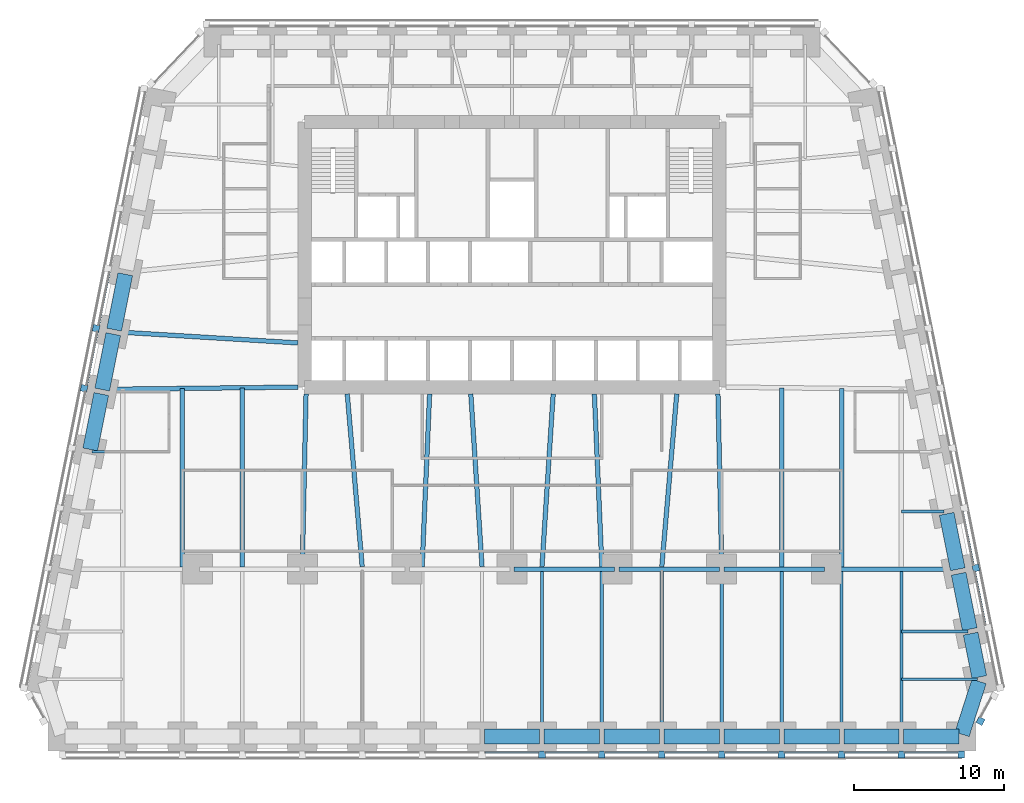
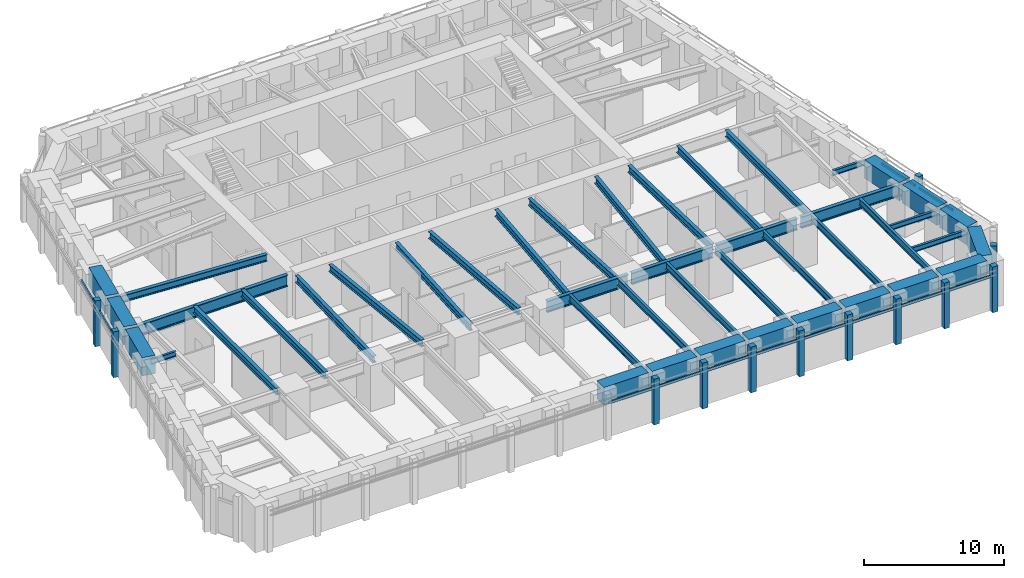
# One storey, part 2 of 10: 44 beams, 24 members, 4 elements without a shape of their own.
"""IFC4 building model written with IfcOpenShell, lengths in metres."""

from ifc_helpers import new_model, si_unit, direction, frame, origin, origin_2d, place, context, subcontext, project, spatial, rectangle, i_section, extrude, material, material_profile, profile_set, type_object, element, aggregate, save


model = new_model("IFC4")

# Units and contexts
model_context = context("Model", 3, precision=1e-05, world=origin(), true_north=direction((0.0, 1.0)))
body_context = subcontext(model_context, "Body", "Model", "MODEL_VIEW")
ifc_project = project(units=[si_unit("LENGTHUNIT", "METRE"), si_unit("AREAUNIT", "SQUARE_METRE"), si_unit("VOLUMEUNIT", "CUBIC_METRE"), si_unit("PLANEANGLEUNIT", "RADIAN"), si_unit("MASSUNIT", "GRAM", prefix="KILO")], contexts=[model_context])

# Site, building, storey
site_placement = place(None, origin())
site = spatial("IfcSite", under=ifc_project, at=site_placement, CompositionType="ELEMENT")
building_placement = place(site_placement, origin())
building = spatial("IfcBuilding", under=site, at=building_placement, Name="Isbrekke Arena Tower", CompositionType="ELEMENT")
storey_placement = place(building_placement, frame((0.0, 0.0, 76.0)))
storey = spatial("IfcBuildingStorey", under=building, at=storey_placement, Name="L16", CompositionType="ELEMENT", Elevation=76.0)

# Beams
ifc_material_1 = material(Name="Steel S355", Category="steel")
ifc_material_profile_1 = material_profile(ifc_material_1, i_section(OverallWidth=0.219970703125, OverallDepth=0.60009765625, WebThickness=0.011962890625, FlangeThickness=0.01904296875, FilletRadius=0.02392578125, at=origin_2d()), Name="IPE 600")
ifc_profile_set_1 = profile_set([ifc_material_profile_1], Name="Steel S355")
beam_type_1 = type_object("IfcBeamType", Name="B1 IPE 600", PredefinedType="BEAM", material=ifc_profile_set_1)
for number, where, z_axis, x_axis, name in (
    (1, (2.0, -17.02490234375, 3.550048828125), (0.0, 1.0, 0.0), (-1.0, 0.0, 0.0), "B1 beam S-S09 L16"),
    (2, (6.0, -17.02490234375, 3.550048828125), (0.0, 1.0, 0.0), (-1.0, 0.0, 0.0), "B1 beam S-S10 L16"),
    (3, (10.0, -17.02490234375, 3.550048828125), (0.0, 1.0, 0.0), (-1.0, 0.0, 0.0), "B1 beam S-S11 L16"),
):
    element("IfcBeam", number, at=place(storey_placement, frame(where, z_axis=z_axis, x_axis=x_axis)), inside=storey, type_object=beam_type_1, Name=name, PredefinedType="BEAM", context=body_context, shape_type="SweptSolid", body=[
        extrude(i_section(OverallWidth=0.219970703125, OverallDepth=0.60009765625, WebThickness=0.011962890625, FlangeThickness=0.01904296875, FilletRadius=0.02392578125, at=origin_2d()), origin(), (0.0, 0.0, 1.0), 10.8740234375),
    ])
beam_1_placement = place(storey_placement, frame((14.0, -17.02490234375, 3.550048828125), z_axis=(0.0, 1.0, 0.0), x_axis=(-1.0, 0.0, 0.0)))
element("IfcBeam", 4, at=beam_1_placement, inside=storey, type_object=beam_type_1, Name="B1 beam S-S12 L16", PredefinedType="BEAM", context=body_context, shape_type="SweptSolid", body=[
    extrude(i_section(OverallWidth=0.219970703125, OverallDepth=0.60009765625, WebThickness=0.011962890625, FlangeThickness=0.01904296875, FilletRadius=0.02392578125, at=origin_2d()), origin(), (0.0, 0.0, 1.0), 10.875),
])
for number, where, z_axis, x_axis, name in (
    (5, (18.0, -17.02490234375, 3.550048828125), (0.0, 1.0, 0.0), (-1.0, 0.0, 0.0), "B1 beam S-S13 L16"),
    (6, (22.0, -17.02490234375, 3.550048828125), (0.0, 1.0, 0.0), (-1.0, 0.0, 0.0), "B1 beam S-S14 L16"),
    (7, (26.0, -17.02490234375, 3.550048828125), (0.0, 1.0, 0.0), (-1.0, 0.0, 0.0), "B1 beam S-S15 L16"),
):
    element("IfcBeam", number, at=place(storey_placement, frame(where, z_axis=z_axis, x_axis=x_axis)), inside=storey, type_object=beam_type_1, Name=name, PredefinedType="BEAM", context=body_context, shape_type="SweptSolid", body=[
        extrude(i_section(OverallWidth=0.219970703125, OverallDepth=0.60009765625, WebThickness=0.011962890625, FlangeThickness=0.01904296875, FilletRadius=0.02392578125, at=origin_2d()), origin(), (0.0, 0.0, 1.0), 10.8740234375),
    ])
ifc_material_2 = material(Name="Steel S355", Category="steel")
ifc_material_profile_2 = material_profile(ifc_material_2, i_section(OverallWidth=0.18994140625, OverallDepth=0.449951171875, WebThickness=0.009521484375, FlangeThickness=0.0146484375, FilletRadius=0.02099609375, at=origin_2d()), Name="IPE 450")
ifc_profile_set_2 = profile_set([ifc_material_profile_2], Name="Steel S355")
beam_type_2 = type_object("IfcBeamType", Name="B2 IPE 450", PredefinedType="BEAM", material=ifc_profile_set_2)
beam_2_placement = place(storey_placement, frame((31.079345703125, -13.352783203125, 3.625), z_axis=(-1.0, 0.0, 0.0), x_axis=(0.0, -1.0, 0.0)))
element("IfcBeam", 8, at=beam_2_placement, inside=storey, type_object=beam_type_2, Name="B2 beam E-E01 L16", PredefinedType="BEAM", context=body_context, shape_type="SweptSolid", body=[
    extrude(i_section(OverallWidth=0.18994140625, OverallDepth=0.449951171875, WebThickness=0.009521484375, FlangeThickness=0.0146484375, FilletRadius=0.02099609375, at=origin_2d()), origin(), (0.0, 0.0, 1.0), 5.079345703125),
])
beam_3_placement = place(storey_placement, frame((30.44091796875, -10.161865234375, 3.625), z_axis=(-1.0, 0.0, 0.0), x_axis=(0.0, -1.0, 0.0)))
element("IfcBeam", 9, at=beam_3_placement, inside=storey, type_object=beam_type_2, Name="B2 beam E-E02 L16", PredefinedType="BEAM", context=body_context, shape_type="SweptSolid", body=[
    extrude(i_section(OverallWidth=0.18994140625, OverallDepth=0.449951171875, WebThickness=0.009521484375, FlangeThickness=0.0146484375, FilletRadius=0.02099609375, at=origin_2d()), origin(), (0.0, 0.0, 1.0), 4.44091796875),
])
beam_4_placement = place(storey_placement, frame((28.841064453125, -2.161865234375, 3.625), z_axis=(-1.0, 0.0, 0.0), x_axis=(0.0, -1.0, 0.0)))
element("IfcBeam", 10, at=beam_4_placement, inside=storey, type_object=beam_type_2, Name="B2 beam E-E04 L16", PredefinedType="BEAM", context=body_context, shape_type="SweptSolid", body=[
    extrude(i_section(OverallWidth=0.18994140625, OverallDepth=0.449951171875, WebThickness=0.009521484375, FlangeThickness=0.0146484375, FilletRadius=0.02099609375, at=origin_2d()), origin(), (0.0, 0.0, 1.0), 2.841064453125),
])
beam_5_placement = place(storey_placement, frame((-28.041015625, 1.838134765625, 3.625), z_axis=(1.0, 0.0, 0.0), x_axis=(0.0, 1.0, 0.0)))
element("IfcBeam", 11, at=beam_5_placement, inside=storey, type_object=beam_type_2, Name="B2 beam E-W07 L16", PredefinedType="BEAM", context=body_context, shape_type="SweptSolid", body=[
    extrude(i_section(OverallWidth=0.18994140625, OverallDepth=0.449951171875, WebThickness=0.009521484375, FlangeThickness=0.0146484375, FilletRadius=0.02099609375, at=origin_2d()), origin(), (0.0, 0.0, 1.0), 2.041015625),
])
ifc_material_3 = material(Name="Steel S355", Category="steel")
ifc_material_profile_3 = material_profile(ifc_material_3, i_section(OverallWidth=0.300048828125, OverallDepth=0.60009765625, WebThickness=0.015380859375, FlangeThickness=0.030029296875, FilletRadius=0.027099609375, at=origin_2d()), Name="HEB 600")
ifc_profile_set_3 = profile_set([ifc_material_profile_3], Name="Steel S355")
beam_type_3 = type_object("IfcBeamType", Name="B7 HEB 600", PredefinedType="BEAM", material=ifc_profile_set_3)
beam_6_placement = place(storey_placement, frame((-22.0, -5.84912109375, 3.550048828125), z_axis=(0.0, 1.0, 0.0), x_axis=(-1.0, 0.0, 0.0)))
element("IfcBeam", 12, at=beam_6_placement, inside=storey, type_object=beam_type_3, Name="B7 beam C-M02 L16", PredefinedType="BEAM", context=body_context, shape_type="SweptSolid", body=[
    extrude(i_section(OverallWidth=0.300048828125, OverallDepth=0.60009765625, WebThickness=0.015380859375, FlangeThickness=0.030029296875, FilletRadius=0.027099609375, at=origin_2d()), origin(), (0.0, 0.0, 1.0), 11.910888671875),
])
beam_7_placement = place(storey_placement, frame((-18.0, -5.84912109375, 3.550048828125), z_axis=(0.0, 1.0, 0.0), x_axis=(-1.0, 0.0, 0.0)))
element("IfcBeam", 13, at=beam_7_placement, inside=storey, type_object=beam_type_3, Name="B7 beam C-M03 L16", PredefinedType="BEAM", context=body_context, shape_type="SweptSolid", body=[
    extrude(i_section(OverallWidth=0.300048828125, OverallDepth=0.60009765625, WebThickness=0.015380859375, FlangeThickness=0.030029296875, FilletRadius=0.027099609375, at=origin_2d()), origin(), (0.0, 0.0, 1.0), 11.956787109375),
])
beam_8_placement = place(storey_placement, frame((-14.0, -5.8466796875, 3.550048828125), z_axis=(0.021646264273, 0.999765692171, 0.0), x_axis=(-0.999765692171, 0.021646264273, 0.0)))
element("IfcBeam", 14, at=beam_8_placement, inside=storey, type_object=beam_type_3, Name="B7 beam C-M04 L16", PredefinedType="BEAM", context=body_context, shape_type="SweptSolid", body=[
    extrude(i_section(OverallWidth=0.300048828125, OverallDepth=0.60009765625, WebThickness=0.015380859375, FlangeThickness=0.030029296875, FilletRadius=0.027099609375, at=origin_2d()), origin(), (0.0, 0.0, 1.0), 11.54931640625),
])
beam_9_placement = place(storey_placement, frame((-10.001220703125, -5.836181640625, 3.550048828125), z_axis=(-0.086255671377, 0.996273034442, 0.0), x_axis=(-0.996273034442, -0.086255671377, 0.0)))
element("IfcBeam", 15, at=beam_9_placement, inside=storey, type_object=beam_type_3, Name="B7 beam C-M05 L16", PredefinedType="BEAM", context=body_context, shape_type="SweptSolid", body=[
    extrude(i_section(OverallWidth=0.300048828125, OverallDepth=0.60009765625, WebThickness=0.015380859375, FlangeThickness=0.030029296875, FilletRadius=0.027099609375, at=origin_2d()), origin(), (0.0, 0.0, 1.0), 11.579345703125),
])
beam_10_placement = place(storey_placement, frame((-5.999755859375, -5.842529296875, 3.550048828125), z_axis=(0.04325656756, 0.99906399663, 0.0), x_axis=(-0.99906399663, 0.04325656756, 0.0)))
element("IfcBeam", 16, at=beam_10_placement, inside=storey, type_object=beam_type_3, Name="B7 beam C-M06 L16", PredefinedType="BEAM", context=body_context, shape_type="SweptSolid", body=[
    extrude(i_section(OverallWidth=0.300048828125, OverallDepth=0.60009765625, WebThickness=0.015380859375, FlangeThickness=0.030029296875, FilletRadius=0.027099609375, at=origin_2d()), origin(), (0.0, 0.0, 1.0), 11.55322265625),
])
for number, where, z_axis, x_axis, name in (
    (17, (-2.000732421875, -5.83935546875, 3.550048828125), (-0.064795318476, 0.997898575359, 0.0), (-0.997898575359, -0.064795318476, 0.0), "B7 beam C-M07 L16"),
    (18, (2.000732421875, -5.83935546875, 3.550048828125), (0.064795318476, 0.997898575359, 0.0), (-0.997898575359, 0.064795318476, 0.0), "B7 beam C-M08 L16"),
):
    element("IfcBeam", number, at=place(storey_placement, frame(where, z_axis=z_axis, x_axis=x_axis)), inside=storey, type_object=beam_type_3, Name=name, PredefinedType="BEAM", context=body_context, shape_type="SweptSolid", body=[
        extrude(i_section(OverallWidth=0.300048828125, OverallDepth=0.60009765625, WebThickness=0.015380859375, FlangeThickness=0.030029296875, FilletRadius=0.027099609375, at=origin_2d()), origin(), (0.0, 0.0, 1.0), 11.563720703125),
    ])
beam_11_placement = place(storey_placement, frame((5.999755859375, -5.842529296875, 3.550048828125), z_axis=(-0.04325656756, 0.99906399663, 0.0), x_axis=(-0.99906399663, -0.04325656756, 0.0)))
element("IfcBeam", 19, at=beam_11_placement, inside=storey, type_object=beam_type_3, Name="B7 beam C-M09 L16", PredefinedType="BEAM", context=body_context, shape_type="SweptSolid", body=[
    extrude(i_section(OverallWidth=0.300048828125, OverallDepth=0.60009765625, WebThickness=0.015380859375, FlangeThickness=0.030029296875, FilletRadius=0.027099609375, at=origin_2d()), origin(), (0.0, 0.0, 1.0), 11.55322265625),
])
beam_12_placement = place(storey_placement, frame((10.001220703125, -5.836181640625, 3.550048828125), z_axis=(0.086255671377, 0.996273034442, 0.0), x_axis=(-0.996273034442, 0.086255671377, 0.0)))
element("IfcBeam", 20, at=beam_12_placement, inside=storey, type_object=beam_type_3, Name="B7 beam C-M10 L16", PredefinedType="BEAM", context=body_context, shape_type="SweptSolid", body=[
    extrude(i_section(OverallWidth=0.300048828125, OverallDepth=0.60009765625, WebThickness=0.015380859375, FlangeThickness=0.030029296875, FilletRadius=0.027099609375, at=origin_2d()), origin(), (0.0, 0.0, 1.0), 11.579345703125),
])
beam_13_placement = place(storey_placement, frame((14.0, -5.8466796875, 3.550048828125), z_axis=(-0.021646264273, 0.999765692171, 0.0), x_axis=(-0.999765692171, -0.021646264273, 0.0)))
element("IfcBeam", 21, at=beam_13_placement, inside=storey, type_object=beam_type_3, Name="B7 beam C-M11 L16", PredefinedType="BEAM", context=body_context, shape_type="SweptSolid", body=[
    extrude(i_section(OverallWidth=0.300048828125, OverallDepth=0.60009765625, WebThickness=0.015380859375, FlangeThickness=0.030029296875, FilletRadius=0.027099609375, at=origin_2d()), origin(), (0.0, 0.0, 1.0), 11.54931640625),
])
beam_14_placement = place(storey_placement, frame((18.0, -5.84912109375, 3.550048828125), z_axis=(0.0, 1.0, 0.0), x_axis=(-1.0, 0.0, 0.0)))
element("IfcBeam", 22, at=beam_14_placement, inside=storey, type_object=beam_type_3, Name="B7 beam C-M12 L16", PredefinedType="BEAM", context=body_context, shape_type="SweptSolid", body=[
    extrude(i_section(OverallWidth=0.300048828125, OverallDepth=0.60009765625, WebThickness=0.015380859375, FlangeThickness=0.030029296875, FilletRadius=0.027099609375, at=origin_2d()), origin(), (0.0, 0.0, 1.0), 11.956787109375),
])
beam_15_placement = place(storey_placement, frame((22.0, -5.84912109375, 3.550048828125), z_axis=(0.0, 1.0, 0.0), x_axis=(-1.0, 0.0, 0.0)))
element("IfcBeam", 23, at=beam_15_placement, inside=storey, type_object=beam_type_3, Name="B7 beam C-M13 L16", PredefinedType="BEAM", context=body_context, shape_type="SweptSolid", body=[
    extrude(i_section(OverallWidth=0.300048828125, OverallDepth=0.60009765625, WebThickness=0.015380859375, FlangeThickness=0.030029296875, FilletRadius=0.027099609375, at=origin_2d()), origin(), (0.0, 0.0, 1.0), 11.910888671875),
])
beam_16_placement = place(storey_placement, frame((-26.431884765625, 9.837646484375, 3.550048828125), z_axis=(0.998157121592, -0.060682457223, 0.0), x_axis=(0.060682457223, 0.998157121592, 0.0)))
element("IfcBeam", 24, at=beam_16_placement, inside=storey, type_object=beam_type_3, Name="B7 beam E-W05 L16", PredefinedType="BEAM", context=body_context, shape_type="SweptSolid", body=[
    extrude(i_section(OverallWidth=0.300048828125, OverallDepth=0.60009765625, WebThickness=0.015380859375, FlangeThickness=0.030029296875, FilletRadius=0.027099609375, at=origin_2d()), origin(), (0.0, 0.0, 1.0), 12.154296875),
])

# Curtain wall, members
ifc_material_4 = material(Name="Glazed aluminium curtain wall", Category="aluminium")
curtain_wall_type = type_object("IfcCurtainWallType", Name="CWL TOWER CURTAIN WALL LOW ZONE", PredefinedType="USERDEFINED", material=ifc_material_4)
curtain_wall_1_placement = place(storey_placement, origin())
curtain_wall_1 = element("IfcCurtainWall", 25, at=curtain_wall_1_placement, inside=storey, type_object=curtain_wall_type, Name="CWL curtain wall L16-S", ObjectType="TOWER CURTAIN WALL LOW ZONE", PredefinedType="USERDEFINED")
ifc_material_5 = material(Name="Aluminium mullion, pale brick slip cladding", Category="masonry")
ifc_material_profile_4 = material_profile(ifc_material_5, rectangle(XDim=0.449951171875, YDim=0.449951171875, at=origin_2d()), Name="PIER 450X450")
ifc_profile_set_4 = profile_set([ifc_material_profile_4], Name="Aluminium mullion, pale brick slip cladding")
member_type_1 = type_object("IfcMemberType", Name="CWL-M PIER MULLION 450 x 450", PredefinedType="MULLION", material=ifc_profile_set_4)
member_1_placement = place(storey_placement, frame((2.0, -18.375, 0.0), z_axis=(0.0, 0.0, 1.0), x_axis=(1.0, 0.0, 0.0)))
member_1 = element("IfcMember", 26, at=member_1_placement, type_object=member_type_1, Name="CWL-M mullion 9", PredefinedType="MULLION", context=body_context, shape_type="SweptSolid", body=[
    extrude(rectangle(XDim=0.449951171875, YDim=0.449951171875, at=origin_2d()), origin(), (0.0, 0.0, 1.0), 4.0),
])
member_2_placement = place(storey_placement, frame((6.0, -18.375, 0.0), z_axis=(0.0, 0.0, 1.0), x_axis=(1.0, 0.0, 0.0)))
member_2 = element("IfcMember", 27, at=member_2_placement, type_object=member_type_1, Name="CWL-M mullion 10", PredefinedType="MULLION", context=body_context, shape_type="SweptSolid", body=[
    extrude(rectangle(XDim=0.449951171875, YDim=0.449951171875, at=origin_2d()), origin(), (0.0, 0.0, 1.0), 4.0),
])
member_3_placement = place(storey_placement, frame((10.0, -18.375, 0.0), z_axis=(0.0, 0.0, 1.0), x_axis=(1.0, 0.0, 0.0)))
member_3 = element("IfcMember", 28, at=member_3_placement, type_object=member_type_1, Name="CWL-M mullion 11", PredefinedType="MULLION", context=body_context, shape_type="SweptSolid", body=[
    extrude(rectangle(XDim=0.449951171875, YDim=0.449951171875, at=origin_2d()), origin(), (0.0, 0.0, 1.0), 4.0),
])
member_4_placement = place(storey_placement, frame((14.0, -18.375, 0.0), z_axis=(0.0, 0.0, 1.0), x_axis=(1.0, 0.0, 0.0)))
member_4 = element("IfcMember", 29, at=member_4_placement, type_object=member_type_1, Name="CWL-M mullion 12", PredefinedType="MULLION", context=body_context, shape_type="SweptSolid", body=[
    extrude(rectangle(XDim=0.449951171875, YDim=0.449951171875, at=origin_2d()), origin(), (0.0, 0.0, 1.0), 4.0),
])
member_5_placement = place(storey_placement, frame((18.0, -18.375, 0.0), z_axis=(0.0, 0.0, 1.0), x_axis=(1.0, 0.0, 0.0)))
member_5 = element("IfcMember", 30, at=member_5_placement, type_object=member_type_1, Name="CWL-M mullion 13", PredefinedType="MULLION", context=body_context, shape_type="SweptSolid", body=[
    extrude(rectangle(XDim=0.449951171875, YDim=0.449951171875, at=origin_2d()), origin(), (0.0, 0.0, 1.0), 4.0),
])
member_6_placement = place(storey_placement, frame((22.0, -18.375, 0.0), z_axis=(0.0, 0.0, 1.0), x_axis=(1.0, 0.0, 0.0)))
member_6 = element("IfcMember", 31, at=member_6_placement, type_object=member_type_1, Name="CWL-M mullion 14", PredefinedType="MULLION", context=body_context, shape_type="SweptSolid", body=[
    extrude(rectangle(XDim=0.449951171875, YDim=0.449951171875, at=origin_2d()), origin(), (0.0, 0.0, 1.0), 4.0),
])
member_7_placement = place(storey_placement, frame((26.0, -18.375, 0.0), z_axis=(0.0, 0.0, 1.0), x_axis=(1.0, 0.0, 0.0)))
member_7 = element("IfcMember", 32, at=member_7_placement, type_object=member_type_1, Name="CWL-M mullion 15", PredefinedType="MULLION", context=body_context, shape_type="SweptSolid", body=[
    extrude(rectangle(XDim=0.449951171875, YDim=0.449951171875, at=origin_2d()), origin(), (0.0, 0.0, 1.0), 4.0),
])
member_8_placement = place(storey_placement, frame((30.0, -18.375, 0.0), z_axis=(0.0, 0.0, 1.0), x_axis=(1.0, 0.0, 0.0)))
member_8 = element("IfcMember", 33, at=member_8_placement, type_object=member_type_1, Name="CWL-M mullion 16", PredefinedType="MULLION", context=body_context, shape_type="SweptSolid", body=[
    extrude(rectangle(XDim=0.449951171875, YDim=0.449951171875, at=origin_2d()), origin(), (0.0, 0.0, 1.0), 4.0),
])

# Curtain wall, member
curtain_wall_2_placement = place(storey_placement, origin())
curtain_wall_2 = element("IfcCurtainWall", 34, at=curtain_wall_2_placement, inside=storey, type_object=curtain_wall_type, Name="CWL curtain wall L16-SE", ObjectType="TOWER CURTAIN WALL LOW ZONE", PredefinedType="USERDEFINED")
member_9_placement = place(storey_placement, frame((31.2783203125, -16.142822265625, 0.0), z_axis=(0.0, 0.0, 1.0), x_axis=(0.481918749773, 0.876215908676, 0.0)))
member_9 = element("IfcMember", 35, at=member_9_placement, type_object=member_type_1, Name="CWL-M mullion 1", PredefinedType="MULLION", context=body_context, shape_type="SweptSolid", body=[
    extrude(rectangle(XDim=0.449951171875, YDim=0.449951171875, at=origin_2d()), origin(), (0.0, 0.0, 1.0), 4.0),
])
aggregate(curtain_wall_2, [member_9])

curtain_wall_3_placement = place(storey_placement, origin())
curtain_wall_3 = element("IfcCurtainWall", 36, at=curtain_wall_3_placement, inside=storey, type_object=curtain_wall_type, Name="CWL curtain wall L16-E", ObjectType="TOWER CURTAIN WALL LOW ZONE", PredefinedType="USERDEFINED")
member_10_placement = place(storey_placement, frame((30.9677734375, -5.926513671875, 0.0), z_axis=(0.0, 0.0, 1.0), x_axis=(-0.196116135138, 0.980580675691, 0.0)))
member_10 = element("IfcMember", 37, at=member_10_placement, type_object=member_type_1, Name="CWL-M mullion 3", PredefinedType="MULLION", context=body_context, shape_type="SweptSolid", body=[
    extrude(rectangle(XDim=0.449951171875, YDim=0.449951171875, at=origin_2d()), origin(), (0.0, 0.0, 1.0), 4.0),
])

# Curtain wall, members
curtain_wall_4_placement = place(storey_placement, origin())
curtain_wall_4 = element("IfcCurtainWall", 38, at=curtain_wall_4_placement, inside=storey, type_object=curtain_wall_type, Name="CWL curtain wall L16-W", ObjectType="TOWER CURTAIN WALL LOW ZONE", PredefinedType="USERDEFINED")
member_11_placement = place(storey_placement, frame((-27.767822265625, 10.073486328125, 0.0), z_axis=(0.0, 0.0, 1.0), x_axis=(-0.196116135138, -0.980580675691, 0.0)))
member_11 = element("IfcMember", 39, at=member_11_placement, type_object=member_type_1, Name="CWL-M mullion 5", PredefinedType="MULLION", context=body_context, shape_type="SweptSolid", body=[
    extrude(rectangle(XDim=0.449951171875, YDim=0.449951171875, at=origin_2d()), origin(), (0.0, 0.0, 1.0), 4.0),
])
member_12_placement = place(storey_placement, frame((-28.567626953125, 6.073486328125, 0.0), z_axis=(0.0, 0.0, 1.0), x_axis=(-0.196116135138, -0.980580675691, 0.0)))
member_12 = element("IfcMember", 40, at=member_12_placement, type_object=member_type_1, Name="CWL-M mullion 6", PredefinedType="MULLION", context=body_context, shape_type="SweptSolid", body=[
    extrude(rectangle(XDim=0.449951171875, YDim=0.449951171875, at=origin_2d()), origin(), (0.0, 0.0, 1.0), 4.0),
])

# Member
ifc_material_6 = material(Name="Aluminium transom", Category="aluminium")
ifc_material_profile_5 = material_profile(ifc_material_6, rectangle(XDim=0.1201171875, YDim=0.199951171875, at=origin_2d()), Name="TRANSOM 120X200")
ifc_profile_set_5 = profile_set([ifc_material_profile_5], Name="Aluminium transom")
member_type_2 = type_object("IfcMemberType", Name="CWL-T TRANSOM 120 x 200", PredefinedType="USERDEFINED", material=ifc_profile_set_5)
member_13_placement = place(storey_placement, frame((-1.77490234375, -18.25, 3.0), z_axis=(1.0, 0.0, 0.0), x_axis=(0.0, 1.0, 0.0)))
member_13 = element("IfcMember", 41, at=member_13_placement, type_object=member_type_2, Name="CWL-T transom 8", ObjectType="TRANSOM", PredefinedType="USERDEFINED", context=body_context, shape_type="SweptSolid", body=[
    extrude(rectangle(XDim=0.1201171875, YDim=0.199951171875, at=origin_2d()), origin(), (0.0, 0.0, 1.0), 3.5498046875),
])

member_14_placement = place(storey_placement, frame((2.22509765625, -18.25, 3.0), z_axis=(1.0, 0.0, 0.0), x_axis=(0.0, 1.0, 0.0)))
member_14 = element("IfcMember", 42, at=member_14_placement, type_object=member_type_2, Name="CWL-T transom 9", ObjectType="TRANSOM", PredefinedType="USERDEFINED", context=body_context, shape_type="SweptSolid", body=[
    extrude(rectangle(XDim=0.1201171875, YDim=0.199951171875, at=origin_2d()), origin(), (0.0, 0.0, 1.0), 3.5498046875),
])

member_15_placement = place(storey_placement, frame((6.22509765625, -18.25, 3.0), z_axis=(1.0, 0.0, 0.0), x_axis=(0.0, 1.0, 0.0)))
member_15 = element("IfcMember", 43, at=member_15_placement, type_object=member_type_2, Name="CWL-T transom 10", ObjectType="TRANSOM", PredefinedType="USERDEFINED", context=body_context, shape_type="SweptSolid", body=[
    extrude(rectangle(XDim=0.1201171875, YDim=0.199951171875, at=origin_2d()), origin(), (0.0, 0.0, 1.0), 3.5498046875),
])

member_16_placement = place(storey_placement, frame((10.22509765625, -18.25, 3.0), z_axis=(1.0, 0.0, 0.0), x_axis=(0.0, 1.0, 0.0)))
member_16 = element("IfcMember", 44, at=member_16_placement, type_object=member_type_2, Name="CWL-T transom 11", ObjectType="TRANSOM", PredefinedType="USERDEFINED", context=body_context, shape_type="SweptSolid", body=[
    extrude(rectangle(XDim=0.1201171875, YDim=0.199951171875, at=origin_2d()), origin(), (0.0, 0.0, 1.0), 3.5498046875),
])

member_17_placement = place(storey_placement, frame((14.22509765625, -18.25, 3.0), z_axis=(1.0, 0.0, 0.0), x_axis=(0.0, 1.0, 0.0)))
member_17 = element("IfcMember", 45, at=member_17_placement, type_object=member_type_2, Name="CWL-T transom 12", ObjectType="TRANSOM", PredefinedType="USERDEFINED", context=body_context, shape_type="SweptSolid", body=[
    extrude(rectangle(XDim=0.1201171875, YDim=0.199951171875, at=origin_2d()), origin(), (0.0, 0.0, 1.0), 3.5498046875),
])

member_18_placement = place(storey_placement, frame((18.22509765625, -18.25, 3.0), z_axis=(1.0, 0.0, 0.0), x_axis=(0.0, 1.0, 0.0)))
member_18 = element("IfcMember", 46, at=member_18_placement, type_object=member_type_2, Name="CWL-T transom 13", ObjectType="TRANSOM", PredefinedType="USERDEFINED", context=body_context, shape_type="SweptSolid", body=[
    extrude(rectangle(XDim=0.1201171875, YDim=0.199951171875, at=origin_2d()), origin(), (0.0, 0.0, 1.0), 3.5498046875),
])

member_19_placement = place(storey_placement, frame((22.22509765625, -18.25, 3.0), z_axis=(1.0, 0.0, 0.0), x_axis=(0.0, 1.0, 0.0)))
member_19 = element("IfcMember", 47, at=member_19_placement, type_object=member_type_2, Name="CWL-T transom 14", ObjectType="TRANSOM", PredefinedType="USERDEFINED", context=body_context, shape_type="SweptSolid", body=[
    extrude(rectangle(XDim=0.1201171875, YDim=0.199951171875, at=origin_2d()), origin(), (0.0, 0.0, 1.0), 3.5498046875),
])

member_20_placement = place(storey_placement, frame((26.22509765625, -18.25, 3.0), z_axis=(1.0, 0.0, 0.0), x_axis=(0.0, 1.0, 0.0)))
member_20 = element("IfcMember", 48, at=member_20_placement, type_object=member_type_2, Name="CWL-T transom 15", ObjectType="TRANSOM", PredefinedType="USERDEFINED", context=body_context, shape_type="SweptSolid", body=[
    extrude(rectangle(XDim=0.1201171875, YDim=0.199951171875, at=origin_2d()), origin(), (0.0, 0.0, 1.0), 3.5498046875),
])

aggregate(curtain_wall_1, [member_1, member_2, member_3, member_4, member_5, member_6, member_7, member_8, member_13, member_14, member_15, member_16, member_17, member_18, member_19, member_20])

member_21_placement = place(storey_placement, frame((31.60107421875, -9.730224609375, 3.0), z_axis=(-0.196167883278, 0.980570324643, 0.0), x_axis=(-0.980570324643, -0.196167883278, 0.0)))
member_21 = element("IfcMember", 49, at=member_21_placement, type_object=member_type_2, Name="CWL-T transom 2", ObjectType="TRANSOM", PredefinedType="USERDEFINED", context=body_context, shape_type="SweptSolid", body=[
    extrude(rectangle(XDim=0.1201171875, YDim=0.199951171875, at=origin_2d()), origin(), (0.0, 0.0, 1.0), 3.629150390625),
])

member_22_placement = place(storey_placement, frame((30.801025390625, -5.730224609375, 3.0), z_axis=(-0.196103197847, 0.98058326306, 0.0), x_axis=(-0.98058326306, -0.196103197847, 0.0)))
member_22 = element("IfcMember", 50, at=member_22_placement, type_object=member_type_2, Name="CWL-T transom 3", ObjectType="TRANSOM", PredefinedType="USERDEFINED", context=body_context, shape_type="SweptSolid", body=[
    extrude(rectangle(XDim=0.1201171875, YDim=0.199951171875, at=origin_2d()), origin(), (0.0, 0.0, 1.0), 3.629150390625),
])

aggregate(curtain_wall_3, [member_10, member_21, member_22])

member_23_placement = place(storey_placement, frame((-26.88916015625, 13.828369140625, 3.0), z_axis=(-0.196167883278, -0.980570324643, 0.0), x_axis=(0.980570324643, -0.196167883278, 0.0)))
member_23 = element("IfcMember", 51, at=member_23_placement, type_object=member_type_2, Name="CWL-T transom 4", ObjectType="TRANSOM", PredefinedType="USERDEFINED", context=body_context, shape_type="SweptSolid", body=[
    extrude(rectangle(XDim=0.1201171875, YDim=0.199951171875, at=origin_2d()), origin(), (0.0, 0.0, 1.0), 3.629150390625),
])

member_24_placement = place(storey_placement, frame((-27.689208984375, 9.828369140625, 3.0), z_axis=(-0.196167883278, -0.980570324643, 0.0), x_axis=(0.980570324643, -0.196167883278, 0.0)))
member_24 = element("IfcMember", 52, at=member_24_placement, type_object=member_type_2, Name="CWL-T transom 5", ObjectType="TRANSOM", PredefinedType="USERDEFINED", context=body_context, shape_type="SweptSolid", body=[
    extrude(rectangle(XDim=0.1201171875, YDim=0.199951171875, at=origin_2d()), origin(), (0.0, 0.0, 1.0), 3.629150390625),
])

aggregate(curtain_wall_4, [member_11, member_12, member_23, member_24])

# Beams
ifc_material_7 = material(Name="Steel S355", Category="steel")
ifc_material_profile_6 = material_profile(ifc_material_7, i_section(OverallWidth=0.302001953125, OverallDepth=1.008056640625, WebThickness=0.02099609375, FlangeThickness=0.0400390625, FilletRadius=0.030029296875, at=origin_2d()), Name="HEM 1000")
ifc_profile_set_6 = profile_set([ifc_material_profile_6], Name="Steel S355")
beam_type_4 = type_object("IfcBeamType", Name="G1 HEM 1000", PredefinedType="BEAM", material=ifc_profile_set_6)
for number, where, z_axis, x_axis, name in (
    (53, (0.14990234375, -6.0, 3.345947265625), (1.0, 0.0, 0.0), (0.0, 1.0, 0.0), "G1 beam G1-05 L16"),
    (54, (7.14990234375, -6.0, 3.345947265625), (1.0, 0.0, 0.0), (0.0, 1.0, 0.0), "G1 beam G1-06 L16"),
    (55, (14.14990234375, -6.0, 3.345947265625), (1.0, 0.0, 0.0), (0.0, 1.0, 0.0), "G1 beam G1-07 L16"),
):
    element("IfcBeam", number, at=place(storey_placement, frame(where, z_axis=z_axis, x_axis=x_axis)), inside=storey, type_object=beam_type_4, Name=name, PredefinedType="BEAM", context=body_context, shape_type="SweptSolid", body=[
        extrude(i_section(OverallWidth=0.302001953125, OverallDepth=1.008056640625, WebThickness=0.02099609375, FlangeThickness=0.0400390625, FilletRadius=0.030029296875, at=origin_2d()), origin(), (0.0, 0.0, 1.0), 6.7001953125),
    ])
beam_17_placement = place(storey_placement, frame((21.14990234375, -6.0, 3.345947265625), z_axis=(1.0, 0.0, 0.0), x_axis=(0.0, 1.0, 0.0)))
element("IfcBeam", 56, at=beam_17_placement, inside=storey, type_object=beam_type_4, Name="G1 beam G1-08 L16", PredefinedType="BEAM", context=body_context, shape_type="SweptSolid", body=[
    extrude(i_section(OverallWidth=0.302001953125, OverallDepth=1.008056640625, WebThickness=0.02099609375, FlangeThickness=0.0400390625, FilletRadius=0.030029296875, at=origin_2d()), origin(), (0.0, 0.0, 1.0), 8.64111328125),
])
ifc_material_8 = material(Name="Steel S355", Category="steel")
ifc_material_profile_7 = material_profile(ifc_material_8, i_section(OverallWidth=0.302001953125, OverallDepth=1.008056640625, WebThickness=0.02099609375, FlangeThickness=0.0400390625, FilletRadius=0.030029296875, at=origin_2d()), Name="HEM 1000")
ifc_profile_set_7 = profile_set([ifc_material_profile_7], Name="Steel S355")
beam_type_5 = type_object("IfcBeamType", Name="G2 HEM 1000", PredefinedType="BEAM", material=ifc_profile_set_7)
beam_18_placement = place(storey_placement, frame((-14.300048828125, 6.14990234375, 3.345947265625), z_axis=(-0.999934429634, -0.011451481699, 0.0), x_axis=(0.011451481699, -0.999934429634, 0.0)))
element("IfcBeam", 57, at=beam_18_placement, inside=storey, type_object=beam_type_5, Name="G2 beam G2-W L16", PredefinedType="BEAM", context=body_context, shape_type="SweptSolid", body=[
    extrude(i_section(OverallWidth=0.302001953125, OverallDepth=1.008056640625, WebThickness=0.02099609375, FlangeThickness=0.0400390625, FilletRadius=0.030029296875, at=origin_2d()), origin(), (0.0, 0.0, 1.0), 13.09033203125),
])
ifc_material_9 = material(Name="Concrete B90 (C90/105)", Category="concrete")
ifc_material_profile_8 = material_profile(ifc_material_9, rectangle(XDim=1.0, YDim=1.60009765625, at=origin_2d()), Name="RC 1000x1600")
ifc_profile_set_8 = profile_set([ifc_material_profile_8], Name="Concrete B90 (C90/105)")
beam_type_6 = type_object("IfcBeamType", Name="SB1 RC 1000 x 1600", PredefinedType="SPANDREL", material=ifc_profile_set_8)
for number, where, z_axis, x_axis, name in (
    (58, (-1.85009765625, -17.175048828125, 3.199951171875), (1.0, 0.0, 0.0), (0.0, 1.0, 0.0), "SB1 spandrel S08-S09 L16"),
    (59, (2.14990234375, -17.175048828125, 3.199951171875), (1.0, 0.0, 0.0), (0.0, 1.0, 0.0), "SB1 spandrel S09-S10 L16"),
    (60, (6.14990234375, -17.175048828125, 3.199951171875), (1.0, 0.0, 0.0), (0.0, 1.0, 0.0), "SB1 spandrel S10-S11 L16"),
    (61, (10.14990234375, -17.175048828125, 3.199951171875), (1.0, 0.0, 0.0), (0.0, 1.0, 0.0), "SB1 spandrel S11-S12 L16"),
    (62, (14.14990234375, -17.175048828125, 3.199951171875), (1.0, 0.0, 0.0), (0.0, 1.0, 0.0), "SB1 spandrel S12-S13 L16"),
    (63, (18.14990234375, -17.175048828125, 3.199951171875), (1.0, 0.0, 0.0), (0.0, 1.0, 0.0), "SB1 spandrel S13-S14 L16"),
    (64, (22.14990234375, -17.175048828125, 3.199951171875), (1.0, 0.0, 0.0), (0.0, 1.0, 0.0), "SB1 spandrel S14-S15 L16"),
    (65, (26.14990234375, -17.175048828125, 3.199951171875), (1.0, 0.0, 0.0), (0.0, 1.0, 0.0), "SB1 spandrel S15-S16 L16"),
):
    element("IfcBeam", number, at=place(storey_placement, frame(where, z_axis=z_axis, x_axis=x_axis)), inside=storey, type_object=beam_type_6, Name=name, PredefinedType="SPANDREL", context=body_context, shape_type="SweptSolid", body=[
        extrude(rectangle(XDim=1.0, YDim=1.60009765625, at=origin_2d()), origin(), (0.0, 0.0, 1.0), 3.7001953125),
    ])
beam_19_placement = place(storey_placement, frame((30.0458984375, -17.0322265625, 3.199951171875), z_axis=(0.306175101476, 0.951975213562, 0.0), x_axis=(-0.951975213562, 0.306175101476, 0.0)))
element("IfcBeam", 66, at=beam_19_placement, inside=storey, type_object=beam_type_6, Name="SB1 spandrel S16-E01 L16", PredefinedType="SPANDREL", context=body_context, shape_type="SweptSolid", body=[
    extrude(rectangle(XDim=1.0, YDim=1.60009765625, at=origin_2d()), origin(), (0.0, 0.0, 1.0), 3.715087890625),
])
beam_20_placement = place(storey_placement, frame((31.19970703125, -13.205810546875, 3.199951171875), z_axis=(-0.196100243168, 0.980583853951, 0.0), x_axis=(-0.980583853951, -0.196100243168, 0.0)))
element("IfcBeam", 67, at=beam_20_placement, inside=storey, type_object=beam_type_6, Name="SB1 spandrel E01-E02 L16", PredefinedType="SPANDREL", context=body_context, shape_type="SweptSolid", body=[
    extrude(rectangle(XDim=1.0, YDim=1.60009765625, at=origin_2d()), origin(), (0.0, 0.0, 1.0), 2.954345703125),
])
beam_21_placement = place(storey_placement, frame((30.5615234375, -10.0146484375, 3.199951171875), z_axis=(-0.1960664412, 0.980590613169, 0.0), x_axis=(-0.980590613169, -0.1960664412, 0.0)))
element("IfcBeam", 68, at=beam_21_placement, inside=storey, type_object=beam_type_6, Name="SB1 spandrel E02-E03 L16", PredefinedType="SPANDREL", context=body_context, shape_type="SweptSolid", body=[
    extrude(rectangle(XDim=1.0, YDim=1.60009765625, at=origin_2d()), origin(), (0.0, 0.0, 1.0), 3.779052734375),
])
beam_22_placement = place(storey_placement, frame((29.76171875, -6.0146484375, 3.199951171875), z_axis=(-0.196128558387, 0.980578190959, 0.0), x_axis=(-0.980578190959, -0.196128558387, 0.0)))
element("IfcBeam", 69, at=beam_22_placement, inside=storey, type_object=beam_type_6, Name="SB1 spandrel E03-E04 L16", PredefinedType="SPANDREL", context=body_context, shape_type="SweptSolid", body=[
    extrude(rectangle(XDim=1.0, YDim=1.60009765625, at=origin_2d()), origin(), (0.0, 0.0, 1.0), 3.779296875),
])
beam_23_placement = place(storey_placement, frame((-25.820556640625, 13.691162109375, 3.199951171875), z_axis=(-0.1960664412, -0.980590613169, 0.0), x_axis=(0.980590613169, -0.1960664412, 0.0)))
element("IfcBeam", 70, at=beam_23_placement, inside=storey, type_object=beam_type_6, Name="SB1 spandrel W04-W05 L16", PredefinedType="SPANDREL", context=body_context, shape_type="SweptSolid", body=[
    extrude(rectangle(XDim=1.0, YDim=1.60009765625, at=origin_2d()), origin(), (0.0, 0.0, 1.0), 3.779052734375),
])
for number, where, z_axis, x_axis, name in (
    (71, (-26.620361328125, 9.691162109375, 3.199951171875), (-0.196128558387, -0.980578190959, 0.0), (0.980578190959, -0.196128558387, 0.0), "SB1 spandrel W05-W06 L16"),
    (72, (-27.42041015625, 5.691162109375, 3.199951171875), (-0.196128558387, -0.980578190959, 0.0), (0.980578190959, -0.196128558387, 0.0), "SB1 spandrel W06-W07 L16"),
):
    element("IfcBeam", number, at=place(storey_placement, frame(where, z_axis=z_axis, x_axis=x_axis)), inside=storey, type_object=beam_type_6, Name=name, PredefinedType="SPANDREL", context=body_context, shape_type="SweptSolid", body=[
        extrude(rectangle(XDim=1.0, YDim=1.60009765625, at=origin_2d()), origin(), (0.0, 0.0, 1.0), 3.779296875),
    ])

save(model, "model.ifc")
